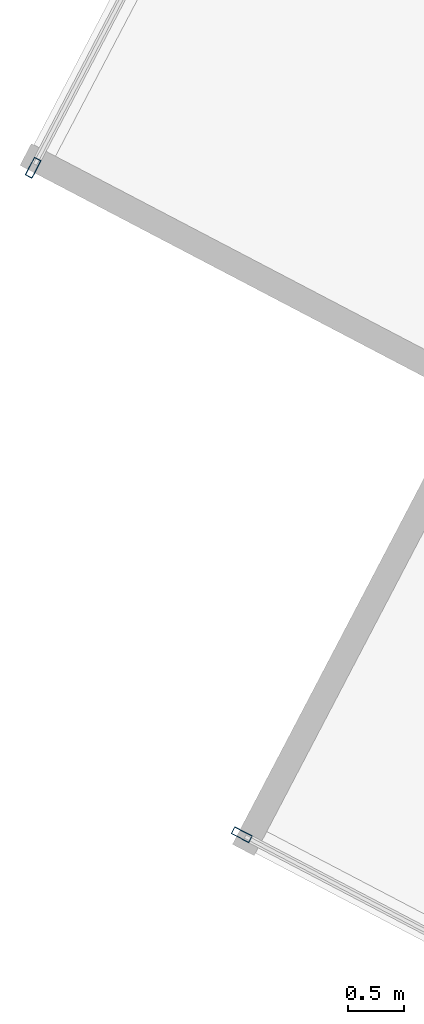
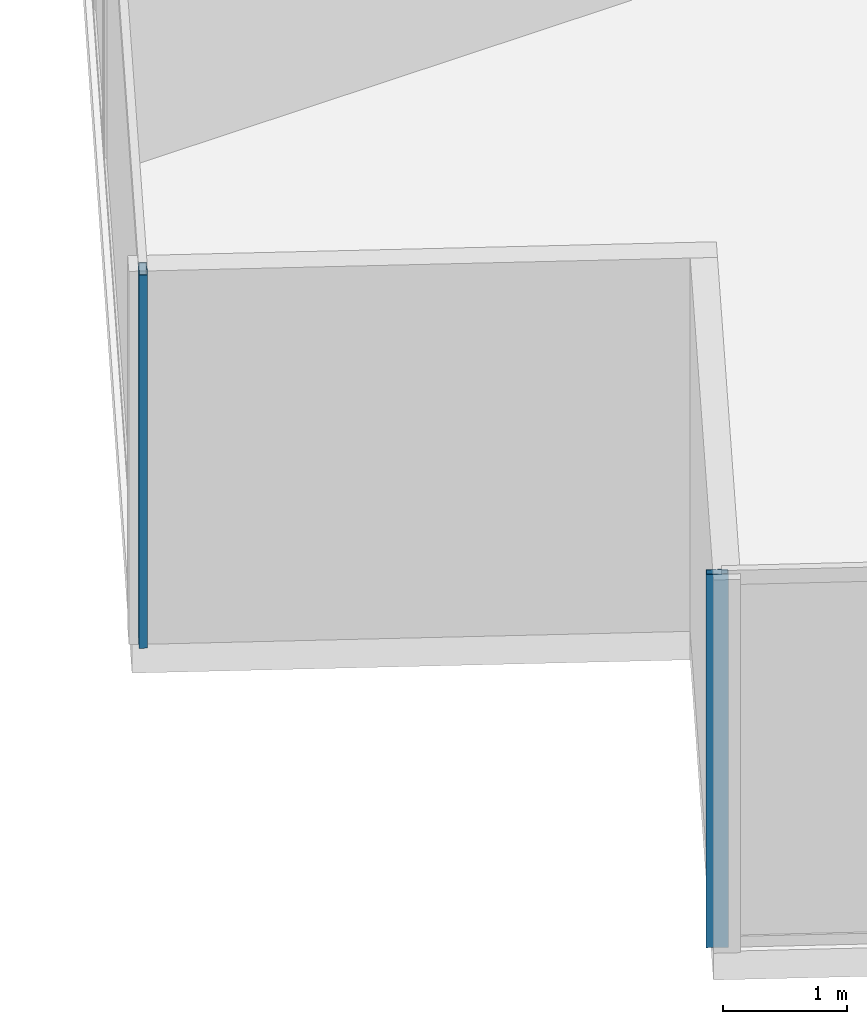
# One storey, part 5 of 27: 2 members, 2 elements without a shape of their own.
"""IFC4 building model written with IfcOpenShell, lengths in metres."""

from ifc_helpers import new_model, si_unit, direction, frame, origin, origin_2d, place, context, subcontext, project, spatial, hollow_rectangle, extrude, source, transform, mapped, material, material_profile, profile_set, type_object, type_shapes, element, aggregate, save


model = new_model("IFC4")

# Units and contexts
model_context = context("Model", 3, precision=1e-05, world=origin(), true_north=direction((0.0, 1.0)))
body_context = subcontext(model_context, "Body", "Model", "MODEL_VIEW")
ifc_project = project(units=[si_unit("LENGTHUNIT", "METRE"), si_unit("AREAUNIT", "SQUARE_METRE"), si_unit("VOLUMEUNIT", "CUBIC_METRE"), si_unit("PLANEANGLEUNIT", "RADIAN"), si_unit("MASSUNIT", "GRAM", prefix="KILO")], contexts=[model_context])

# Site, building, storey
site_placement = place(None, origin())
site = spatial("IfcSite", under=ifc_project, at=site_placement, CompositionType="ELEMENT")
building_placement = place(site_placement, origin())
building = spatial("IfcBuilding", under=site, at=building_placement, Name="Krantzveldt Concourse Tower", CompositionType="ELEMENT")
storey_placement = place(building_placement, frame((0.0, 0.0, 150.14990234375)))
storey = spatial("IfcBuildingStorey", under=building, at=storey_placement, Name="L36", CompositionType="ELEMENT", Elevation=150.14990234375)

# Curtain wall, member
ifc_material = material(Name="Anodised aluminium 6063-T6", Category="aluminium")
curtain_wall_type = type_object("IfcCurtainWallType", Name="CW3", PredefinedType="USERDEFINED", material=ifc_material)
curtain_wall_1_placement = place(storey_placement, origin())
curtain_wall_1 = element("IfcCurtainWall", 1, at=curtain_wall_1_placement, inside=storey, type_object=curtain_wall_type, Name="CW-L36-F01", ObjectType="UNITISED CURTAIN WALL", PredefinedType="USERDEFINED")
ifc_material_profile = material_profile(ifc_material, hollow_rectangle(XDim=0.070068359375, YDim=0.179931640625, WallThickness=0.0048828125, at=origin_2d()), Name="Anodised aluminium 6063-T6", Category="aluminium")
ifc_profile_set = profile_set([ifc_material_profile], Name="Anodised aluminium 6063-T6 - ALU-MULL 180x70x5")
member_type = type_object("IfcMemberType", Name="CW-MUL-180", PredefinedType="MULLION", material=ifc_profile_set)
shared_shape = source(origin(), body_context, "Body", "SweptSolid", [
    extrude(hollow_rectangle(XDim=0.070068359375, YDim=0.179931640625, WallThickness=0.0048828125, at=origin_2d()), origin(), (0.0, 0.0, 1.0), 3.670166015625),
])
type_shapes(member_type, [shared_shape])
member_1_placement = place(storey_placement, frame((8.62451171875, 21.427490234375, 0.0), z_axis=(0.0, 0.0, 1.0), x_axis=(0.886001265743, -0.463682819502, 0.0)))
member_1 = element("IfcMember", 2, at=member_1_placement, type_object=member_type, Name="CW-Z34 mullion 6", PredefinedType="MULLION", context=body_context, shape_type="MappedRepresentation", body=[
    mapped(shared_shape, transform((0.0, 0.0, 0.0), x_axis=(1.0, 0.0, 0.0), y_axis=(0.0, 1.0, 0.0), z_axis=(0.0, 0.0, 1.0), scale=1.0)),
])
aggregate(curtain_wall_1, [member_1])

curtain_wall_2_placement = place(storey_placement, origin())
curtain_wall_2 = element("IfcCurtainWall", 3, at=curtain_wall_2_placement, inside=storey, type_object=curtain_wall_type, Name="CW-L36-F04", ObjectType="UNITISED CURTAIN WALL", PredefinedType="USERDEFINED")
member_2_placement = place(storey_placement, frame((10.501708984375, 15.42822265625, 0.0), z_axis=(0.0, 0.0, 1.0), x_axis=(0.463682819502, 0.886001265743, 0.0)))
member_2 = element("IfcMember", 4, at=member_2_placement, type_object=member_type, Name="CW-Z34 mullion 1", PredefinedType="MULLION", context=body_context, shape_type="MappedRepresentation", body=[
    mapped(shared_shape, transform((0.0, 0.0, 0.0), x_axis=(1.0, 0.0, 0.0), y_axis=(0.0, 1.0, 0.0), z_axis=(0.0, 0.0, 1.0), scale=1.0)),
])
aggregate(curtain_wall_2, [member_2])

save(model, "model.ifc")
